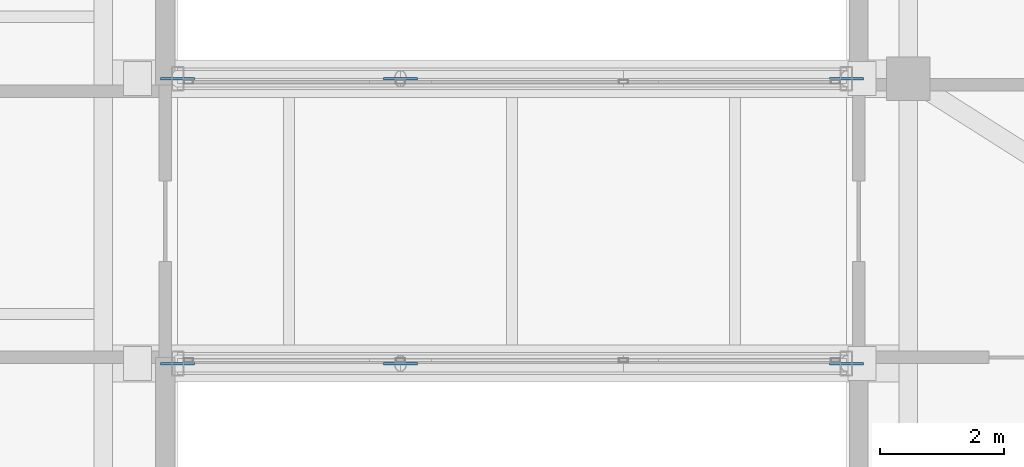
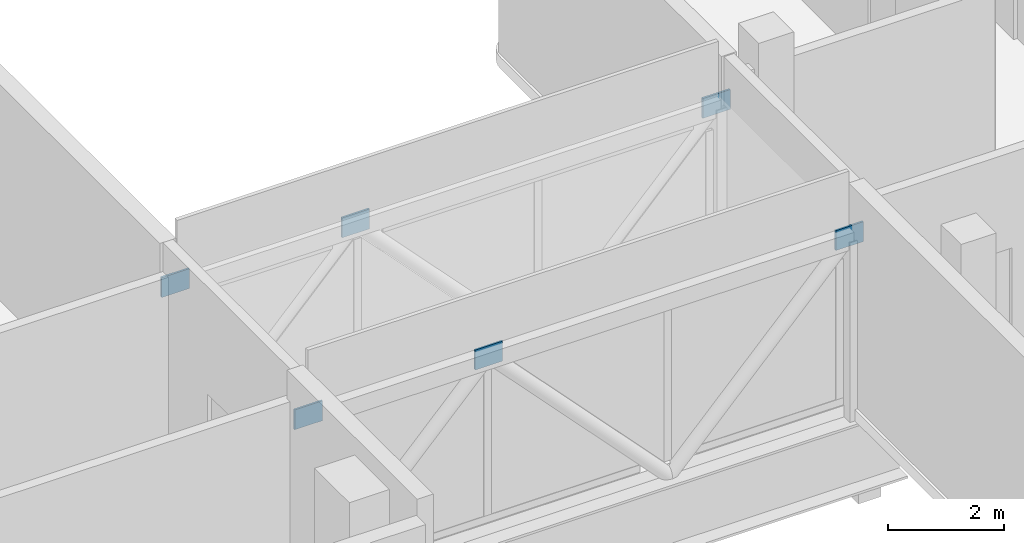
# One storey, part 10 of 17: 6 plates.
"""IFC4 building model written with IfcOpenShell, lengths in metres."""

from ifc_helpers import new_model, si_unit, direction, frame, origin, origin_2d, place, context, subcontext, project, spatial, rectangle, extrude, material, layer, layer_set, type_object, element, save


model = new_model("IFC4")

# Units and contexts
model_context = context("Model", 3, precision=1e-05, world=origin(), true_north=direction((0.0, 1.0)))
body_context = subcontext(model_context, "Body", "Model", "MODEL_VIEW")
ifc_project = project(units=[si_unit("LENGTHUNIT", "METRE"), si_unit("AREAUNIT", "SQUARE_METRE"), si_unit("VOLUMEUNIT", "CUBIC_METRE"), si_unit("PLANEANGLEUNIT", "RADIAN"), si_unit("MASSUNIT", "GRAM", prefix="KILO")], contexts=[model_context])

# Site, building, storey
site_placement = place(None, origin())
site = spatial("IfcSite", under=ifc_project, at=site_placement, CompositionType="ELEMENT")
building_placement = place(site_placement, origin())
building = spatial("IfcBuilding", under=site, at=building_placement, Name="Kuzgunbayir Cultural Tower", CompositionType="ELEMENT")
storey_placement = place(building_placement, frame((0.0, 0.0, 102.60009765625)))
storey = spatial("IfcBuildingStorey", under=building, at=storey_placement, Name="L29", CompositionType="ELEMENT", Elevation=102.60009765625)

# Plates
ifc_material = material(Name="Steel S460M", Category="steel")
ifc_layer = layer(ifc_material, 0.0400390625)
ifc_layer_set = layer_set([ifc_layer], Name="Steel S460M")
plate_type = type_object("IfcPlateType", Name="PLT-CAP-END-40", PredefinedType="USERDEFINED", material=ifc_layer_set)
for number, where, z_axis, x_axis, name in (
    (1, (46.800048828125, 31.199951171875, 3.33984375), (0.0, 0.0, 1.0), (1.0, 0.0, 0.0), "L29 Hollow End Cap Plate SBP-SW End"),
    (2, (57.60009765625, 31.199951171875, 3.33984375), (0.0, 0.0, 1.0), (1.0, 0.0, 0.0), "L29 Hollow End Cap Plate SBP-SE End"),
    (3, (50.39990234375, 31.199951171875, 3.33984375), (0.0, 0.0, 1.0), (1.0, 0.0, 0.0), "L29 Hollow End Cap Plate SBN-S1 End"),
    (4, (46.800048828125, 35.800048828125, 3.33984375), (0.0, 0.0, 1.0), (1.0, 0.0, 0.0), "L29 Hollow End Cap Plate SBP-NW End"),
    (5, (57.60009765625, 35.800048828125, 3.33984375), (0.0, 0.0, 1.0), (1.0, 0.0, 0.0), "L29 Hollow End Cap Plate SBP-NE End"),
    (6, (50.39990234375, 35.800048828125, 3.33984375), (0.0, 0.0, 1.0), (1.0, 0.0, 0.0), "L29 Hollow End Cap Plate SBN-N1 End"),
):
    element("IfcPlate", number, at=place(storey_placement, frame(where, z_axis=z_axis, x_axis=x_axis)), inside=storey, type_object=plate_type, Name=name, ObjectType="END_CAP_PLATE", PredefinedType="USERDEFINED", context=body_context, shape_type="SweptSolid", body=[
        extrude(rectangle(XDim=0.550048828125, YDim=0.0400390625, at=origin_2d()), origin(), (0.0, 0.0, 1.0), 0.419921875),
    ])

save(model, "model.ifc")
